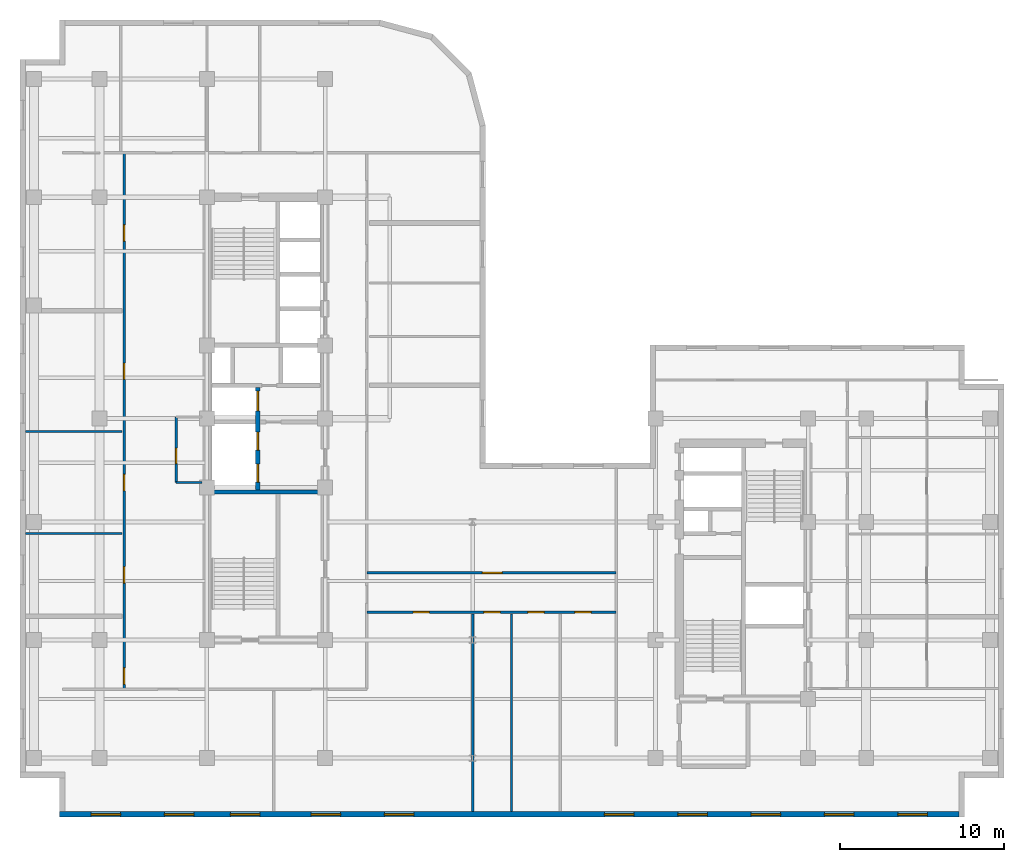
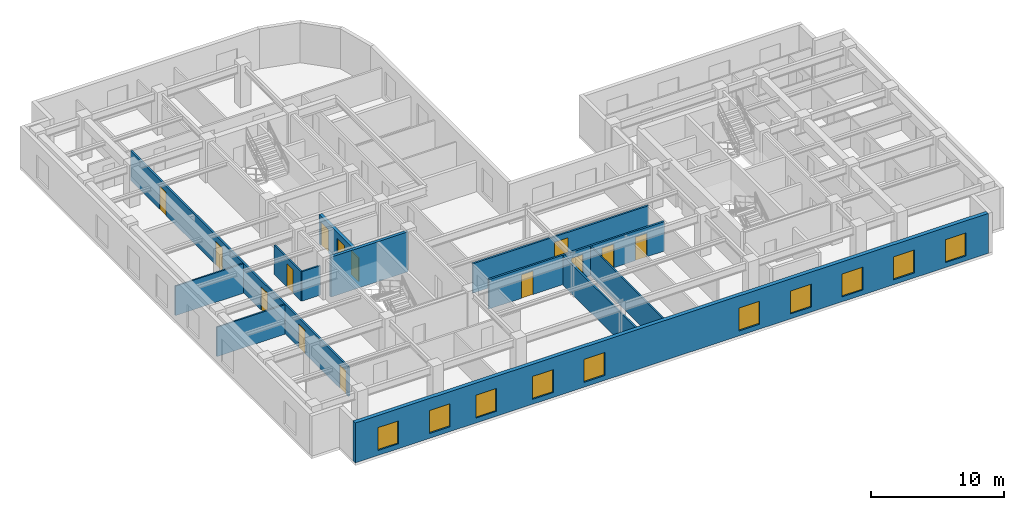
# One storey, part 4 of 11: 14 doors, 12 walls, 10 windows, 24 openings.
"""IFC4 building model written with IfcOpenShell, lengths in metres."""

from ifc_helpers import new_model, entity, si_unit, converted_unit, direction, frame, origin_with_axes, origin_2d_with_axis, place, context, subcontext, project, spatial, polyline, rectangle, outline, extrude, material, layer, layer_set, type_object, element, fill, save


model = new_model("IFC4")

# Units and contexts
model_context = context("Model", 3, precision=1e-05, world=origin_with_axes(), true_north=direction((0.0, 1.0)))
body_context = subcontext(model_context, "Body", "Model", "MODEL_VIEW")
ifc_project = project(units=[si_unit("LENGTHUNIT", "METRE"), si_unit("AREAUNIT", "SQUARE_METRE"), si_unit("VOLUMEUNIT", "CUBIC_METRE"), converted_unit("PLANEANGLEUNIT", "DEGREE", entity("IfcPlaneAngleMeasure", 0.017453292519943295), si_unit("PLANEANGLEUNIT", "RADIAN"), dimensions=[0, 0, 0, 0, 0, 0, 0]), si_unit("MASSUNIT", "GRAM", prefix="KILO"), si_unit("THERMODYNAMICTEMPERATUREUNIT", "KELVIN")], contexts=[model_context])

# Site, building, storey
site_placement = place(None, origin_with_axes())
site = spatial("IfcSite", under=ifc_project, at=site_placement, CompositionType="ELEMENT")
building_placement = place(site_placement, origin_with_axes())
building = spatial("IfcBuilding", under=site, at=building_placement, Name="Varnlund Millrace Tower", CompositionType="ELEMENT")
storey_placement = place(building_placement, frame((0.0, 0.0, 196.5), z_axis=(0.0, 0.0, 1.0), x_axis=(1.0, 0.0, 0.0)))
storey = spatial("IfcBuildingStorey", under=building, at=storey_placement, Name="L48", CompositionType="ELEMENT", Elevation=196.5)

# Wall, openings, windows
ifc_material_1 = material(Name="Precast concrete C50/60", Category="concrete")
ifc_layer_1 = layer(ifc_material_1, 0.34, Name="Precast concrete C50/60")
ifc_layer_set_1 = layer_set([ifc_layer_1], Name="Precast concrete C50/60")
wall_type_1 = type_object("IfcWallType", Name="Type-ExtWall-Precast-Upper-340", PredefinedType="SOLIDWALL", material=ifc_layer_set_1)
wall_1_placement = place(storey_placement, frame((57.26, 0.17, 0.0), z_axis=(0.0, 0.0, 1.0), x_axis=(-1.0, 0.0, 0.0)))
wall_1 = element("IfcWall", 1, at=wall_1_placement, inside=storey, type_object=wall_type_1, Name="Type-ExtWall-Precast-Upper-340", PredefinedType="SOLIDWALL", context=body_context, shape_type="SweptSolid", body=[
    extrude(outline(polyline([(0.0, -0.17), (54.86, -0.17), (54.86, 0.17), (0.0, 0.17), (0.0, -0.17)])), origin_with_axes(), (0.0, 0.0, 1.0), 3.66),
])
opening_1_placement = place(wall_1_placement, frame((2.836, 0.0, 0.45), z_axis=(0.0, 0.0, 1.0), x_axis=(1.0, 0.0, 0.0)))
opening_1 = element("IfcOpeningElement", 2, at=opening_1_placement, cuts=wall_1, Name="Opening L48:WN-07", PredefinedType="OPENING", context=body_context, shape_type="SweptSolid", body=[
    extrude(rectangle(XDim=1.8, YDim=0.36, at=origin_2d_with_axis()), origin_with_axes(), (0.0, 0.0, 1.0), 2.1),
])
opening_2_placement = place(wall_1_placement, frame((7.307, 0.0, 0.45), z_axis=(0.0, 0.0, 1.0), x_axis=(1.0, 0.0, 0.0)))
opening_2 = element("IfcOpeningElement", 3, at=opening_2_placement, cuts=wall_1, Name="Opening L48:WN-08", PredefinedType="OPENING", context=body_context, shape_type="SweptSolid", body=[
    extrude(rectangle(XDim=1.8, YDim=0.36, at=origin_2d_with_axis()), origin_with_axes(), (0.0, 0.0, 1.0), 2.1),
])
opening_3_placement = place(wall_1_placement, frame((11.779, 0.0, 0.45), z_axis=(0.0, 0.0, 1.0), x_axis=(1.0, 0.0, 0.0)))
opening_3 = element("IfcOpeningElement", 4, at=opening_3_placement, cuts=wall_1, Name="Opening L48:WN-09", PredefinedType="OPENING", context=body_context, shape_type="SweptSolid", body=[
    extrude(rectangle(XDim=1.8, YDim=0.36, at=origin_2d_with_axis()), origin_with_axes(), (0.0, 0.0, 1.0), 2.1),
])
opening_4_placement = place(wall_1_placement, frame((16.251, 0.0, 0.45), z_axis=(0.0, 0.0, 1.0), x_axis=(1.0, 0.0, 0.0)))
opening_4 = element("IfcOpeningElement", 5, at=opening_4_placement, cuts=wall_1, Name="Opening L48:WN-10", PredefinedType="OPENING", context=body_context, shape_type="SweptSolid", body=[
    extrude(rectangle(XDim=1.8, YDim=0.36, at=origin_2d_with_axis()), origin_with_axes(), (0.0, 0.0, 1.0), 2.1),
])
opening_5_placement = place(wall_1_placement, frame((20.723, 0.0, 0.45), z_axis=(0.0, 0.0, 1.0), x_axis=(1.0, 0.0, 0.0)))
opening_5 = element("IfcOpeningElement", 6, at=opening_5_placement, cuts=wall_1, Name="Opening L48:WN-11", PredefinedType="OPENING", context=body_context, shape_type="SweptSolid", body=[
    extrude(rectangle(XDim=1.8, YDim=0.36, at=origin_2d_with_axis()), origin_with_axes(), (0.0, 0.0, 1.0), 2.1),
])
opening_6_placement = place(wall_1_placement, frame((34.138, 0.0, 0.45), z_axis=(0.0, 0.0, 1.0), x_axis=(1.0, 0.0, 0.0)))
opening_6 = element("IfcOpeningElement", 7, at=opening_6_placement, cuts=wall_1, Name="Opening L48:WN-12", PredefinedType="OPENING", context=body_context, shape_type="SweptSolid", body=[
    extrude(rectangle(XDim=1.8, YDim=0.36, at=origin_2d_with_axis()), origin_with_axes(), (0.0, 0.0, 1.0), 2.1),
])
opening_7_placement = place(wall_1_placement, frame((38.609, 0.0, 0.45), z_axis=(0.0, 0.0, 1.0), x_axis=(1.0, 0.0, 0.0)))
opening_7 = element("IfcOpeningElement", 8, at=opening_7_placement, cuts=wall_1, Name="Opening L48:WN-13", PredefinedType="OPENING", context=body_context, shape_type="SweptSolid", body=[
    extrude(rectangle(XDim=1.8, YDim=0.36, at=origin_2d_with_axis()), origin_with_axes(), (0.0, 0.0, 1.0), 2.1),
])
opening_8_placement = place(wall_1_placement, frame((43.531, 0.0, 0.45), z_axis=(0.0, 0.0, 1.0), x_axis=(1.0, 0.0, 0.0)))
opening_8 = element("IfcOpeningElement", 9, at=opening_8_placement, cuts=wall_1, Name="Opening L48:WN-14", PredefinedType="OPENING", context=body_context, shape_type="SweptSolid", body=[
    extrude(rectangle(XDim=1.8, YDim=0.36, at=origin_2d_with_axis()), origin_with_axes(), (0.0, 0.0, 1.0), 2.1),
])
opening_9_placement = place(wall_1_placement, frame((47.553, 0.0, 0.45), z_axis=(0.0, 0.0, 1.0), x_axis=(1.0, 0.0, 0.0)))
opening_9 = element("IfcOpeningElement", 10, at=opening_9_placement, cuts=wall_1, Name="Opening L48:WN-15", PredefinedType="OPENING", context=body_context, shape_type="SweptSolid", body=[
    extrude(rectangle(XDim=1.8, YDim=0.36, at=origin_2d_with_axis()), origin_with_axes(), (0.0, 0.0, 1.0), 2.1),
])
opening_10_placement = place(wall_1_placement, frame((52.024, 0.0, 0.45), z_axis=(0.0, 0.0, 1.0), x_axis=(1.0, 0.0, 0.0)))
opening_10 = element("IfcOpeningElement", 11, at=opening_10_placement, cuts=wall_1, Name="Opening L48:WN-16", PredefinedType="OPENING", context=body_context, shape_type="SweptSolid", body=[
    extrude(rectangle(XDim=1.8, YDim=0.36, at=origin_2d_with_axis()), origin_with_axes(), (0.0, 0.0, 1.0), 2.1),
])
ifc_material_2 = material(Name="Argon low-e triple glazing in thermally broken bronze frame", Category="glass")
window_type = type_object("IfcWindowType", Name="Type-Window-Punched-1800X2100", PartitioningType="SINGLE_PANEL", PredefinedType="WINDOW", material=ifc_material_2)
window_1_placement = place(wall_1_placement, frame((2.836, 0.0, 0.45), z_axis=(0.0, 0.0, 1.0), x_axis=(1.0, 0.0, 0.0)))
window_1 = element("IfcWindow", 12, at=window_1_placement, inside=storey, type_object=window_type, Name="Type-Window-Punched-1800X2100", OverallHeight=2.1, OverallWidth=1.8, PredefinedType="WINDOW", context=body_context, shape_type="SweptSolid", body=[
    extrude(rectangle(XDim=1.8, YDim=0.09, at=origin_2d_with_axis()), origin_with_axes(), (0.0, 0.0, 1.0), 2.1),
])
fill(opening_1, window_1)
window_2_placement = place(wall_1_placement, frame((7.307, 0.0, 0.45), z_axis=(0.0, 0.0, 1.0), x_axis=(1.0, 0.0, 0.0)))
window_2 = element("IfcWindow", 13, at=window_2_placement, inside=storey, type_object=window_type, Name="Type-Window-Punched-1800X2100", OverallHeight=2.1, OverallWidth=1.8, PredefinedType="WINDOW", context=body_context, shape_type="SweptSolid", body=[
    extrude(rectangle(XDim=1.8, YDim=0.09, at=origin_2d_with_axis()), origin_with_axes(), (0.0, 0.0, 1.0), 2.1),
])
fill(opening_2, window_2)
window_3_placement = place(wall_1_placement, frame((11.779, 0.0, 0.45), z_axis=(0.0, 0.0, 1.0), x_axis=(1.0, 0.0, 0.0)))
window_3 = element("IfcWindow", 14, at=window_3_placement, inside=storey, type_object=window_type, Name="Type-Window-Punched-1800X2100", OverallHeight=2.1, OverallWidth=1.8, PredefinedType="WINDOW", context=body_context, shape_type="SweptSolid", body=[
    extrude(rectangle(XDim=1.8, YDim=0.09, at=origin_2d_with_axis()), origin_with_axes(), (0.0, 0.0, 1.0), 2.1),
])
fill(opening_3, window_3)
window_4_placement = place(wall_1_placement, frame((16.251, 0.0, 0.45), z_axis=(0.0, 0.0, 1.0), x_axis=(1.0, 0.0, 0.0)))
window_4 = element("IfcWindow", 15, at=window_4_placement, inside=storey, type_object=window_type, Name="Type-Window-Punched-1800X2100", OverallHeight=2.1, OverallWidth=1.8, PredefinedType="WINDOW", context=body_context, shape_type="SweptSolid", body=[
    extrude(rectangle(XDim=1.8, YDim=0.09, at=origin_2d_with_axis()), origin_with_axes(), (0.0, 0.0, 1.0), 2.1),
])
fill(opening_4, window_4)
window_5_placement = place(wall_1_placement, frame((20.723, 0.0, 0.45), z_axis=(0.0, 0.0, 1.0), x_axis=(1.0, 0.0, 0.0)))
window_5 = element("IfcWindow", 16, at=window_5_placement, inside=storey, type_object=window_type, Name="Type-Window-Punched-1800X2100", OverallHeight=2.1, OverallWidth=1.8, PredefinedType="WINDOW", context=body_context, shape_type="SweptSolid", body=[
    extrude(rectangle(XDim=1.8, YDim=0.09, at=origin_2d_with_axis()), origin_with_axes(), (0.0, 0.0, 1.0), 2.1),
])
fill(opening_5, window_5)
window_6_placement = place(wall_1_placement, frame((34.138, 0.0, 0.45), z_axis=(0.0, 0.0, 1.0), x_axis=(1.0, 0.0, 0.0)))
window_6 = element("IfcWindow", 17, at=window_6_placement, inside=storey, type_object=window_type, Name="Type-Window-Punched-1800X2100", OverallHeight=2.1, OverallWidth=1.8, PredefinedType="WINDOW", context=body_context, shape_type="SweptSolid", body=[
    extrude(rectangle(XDim=1.8, YDim=0.09, at=origin_2d_with_axis()), origin_with_axes(), (0.0, 0.0, 1.0), 2.1),
])
fill(opening_6, window_6)
window_7_placement = place(wall_1_placement, frame((38.609, 0.0, 0.45), z_axis=(0.0, 0.0, 1.0), x_axis=(1.0, 0.0, 0.0)))
window_7 = element("IfcWindow", 18, at=window_7_placement, inside=storey, type_object=window_type, Name="Type-Window-Punched-1800X2100", OverallHeight=2.1, OverallWidth=1.8, PredefinedType="WINDOW", context=body_context, shape_type="SweptSolid", body=[
    extrude(rectangle(XDim=1.8, YDim=0.09, at=origin_2d_with_axis()), origin_with_axes(), (0.0, 0.0, 1.0), 2.1),
])
fill(opening_7, window_7)
window_8_placement = place(wall_1_placement, frame((43.531, 0.0, 0.45), z_axis=(0.0, 0.0, 1.0), x_axis=(1.0, 0.0, 0.0)))
window_8 = element("IfcWindow", 19, at=window_8_placement, inside=storey, type_object=window_type, Name="Type-Window-Punched-1800X2100", OverallHeight=2.1, OverallWidth=1.8, PredefinedType="WINDOW", context=body_context, shape_type="SweptSolid", body=[
    extrude(rectangle(XDim=1.8, YDim=0.09, at=origin_2d_with_axis()), origin_with_axes(), (0.0, 0.0, 1.0), 2.1),
])
fill(opening_8, window_8)
window_9_placement = place(wall_1_placement, frame((47.553, 0.0, 0.45), z_axis=(0.0, 0.0, 1.0), x_axis=(1.0, 0.0, 0.0)))
window_9 = element("IfcWindow", 20, at=window_9_placement, inside=storey, type_object=window_type, Name="Type-Window-Punched-1800X2100", OverallHeight=2.1, OverallWidth=1.8, PredefinedType="WINDOW", context=body_context, shape_type="SweptSolid", body=[
    extrude(rectangle(XDim=1.8, YDim=0.09, at=origin_2d_with_axis()), origin_with_axes(), (0.0, 0.0, 1.0), 2.1),
])
fill(opening_9, window_9)
window_10_placement = place(wall_1_placement, frame((52.024, 0.0, 0.45), z_axis=(0.0, 0.0, 1.0), x_axis=(1.0, 0.0, 0.0)))
window_10 = element("IfcWindow", 21, at=window_10_placement, inside=storey, type_object=window_type, Name="Type-Window-Punched-1800X2100", OverallHeight=2.1, OverallWidth=1.8, PredefinedType="WINDOW", context=body_context, shape_type="SweptSolid", body=[
    extrude(rectangle(XDim=1.8, YDim=0.09, at=origin_2d_with_axis()), origin_with_axes(), (0.0, 0.0, 1.0), 2.1),
])
fill(opening_10, window_10)

# Wall, openings, doors
ifc_material_3 = material(Name="Fire-rated gypsum board on cold-formed steel framing", Category="steel")
ifc_layer_2 = layer(ifc_material_3, 0.16, Name="Fire-rated gypsum board on cold-formed steel framing")
ifc_layer_set_2 = layer_set([ifc_layer_2], Name="Fire-rated gypsum board on cold-formed steel framing")
wall_type_2 = type_object("IfcWallType", Name="Type-Partition-Corridor-160", PredefinedType="PARTITIONING", material=ifc_layer_set_2)
wall_2_placement = place(storey_placement, frame((6.35, 7.8, 0.0), z_axis=(0.0, 0.0, 1.0), x_axis=(0.0, 1.0, 0.0)))
wall_2 = element("IfcWall", 22, at=wall_2_placement, inside=storey, type_object=wall_type_2, Name="Type-Partition-Corridor-160", PredefinedType="PARTITIONING", context=body_context, shape_type="SweptSolid", body=[
    extrude(outline(polyline([(0.0, -0.08), (32.7, -0.08), (32.7, 0.08), (0.0, 0.08), (0.0, -0.08)])), origin_with_axes(), (0.0, 0.0, 1.0), 2.7),
])
opening_11_placement = place(wall_2_placement, frame((0.8, 0.0, 0.0), z_axis=(0.0, 0.0, 1.0), x_axis=(1.0, 0.0, 0.0)))
opening_11 = element("IfcOpeningElement", 23, at=opening_11_placement, cuts=wall_2, Name="Opening L48:DR-W-01", PredefinedType="OPENING", context=body_context, shape_type="SweptSolid", body=[
    extrude(rectangle(XDim=1.0, YDim=0.18, at=origin_2d_with_axis()), origin_with_axes(), (0.0, 0.0, 1.0), 2.15),
])
opening_12_placement = place(wall_2_placement, frame((6.971, 0.0, 0.0), z_axis=(0.0, 0.0, 1.0), x_axis=(1.0, 0.0, 0.0)))
opening_12 = element("IfcOpeningElement", 24, at=opening_12_placement, cuts=wall_2, Name="Opening L48:DR-W-02", PredefinedType="OPENING", context=body_context, shape_type="SweptSolid", body=[
    extrude(rectangle(XDim=1.0, YDim=0.18, at=origin_2d_with_axis()), origin_with_axes(), (0.0, 0.0, 1.0), 2.15),
])
opening_13_placement = place(wall_2_placement, frame((12.598, 0.0, 0.0), z_axis=(0.0, 0.0, 1.0), x_axis=(1.0, 0.0, 0.0)))
opening_13 = element("IfcOpeningElement", 25, at=opening_13_placement, cuts=wall_2, Name="Opening L48:DR-W-03", PredefinedType="OPENING", context=body_context, shape_type="SweptSolid", body=[
    extrude(rectangle(XDim=1.0, YDim=0.18, at=origin_2d_with_axis()), origin_with_axes(), (0.0, 0.0, 1.0), 2.15),
])
opening_14_placement = place(wall_2_placement, frame((19.3855, 0.0, 0.0), z_axis=(0.0, 0.0, 1.0), x_axis=(1.0, 0.0, 0.0)))
opening_14 = element("IfcOpeningElement", 26, at=opening_14_placement, cuts=wall_2, Name="Opening L48:DR-W-04", PredefinedType="OPENING", context=body_context, shape_type="SweptSolid", body=[
    extrude(rectangle(XDim=1.0, YDim=0.18, at=origin_2d_with_axis()), origin_with_axes(), (0.0, 0.0, 1.0), 2.15),
])
opening_15_placement = place(wall_2_placement, frame((27.82, 0.0, 0.0), z_axis=(0.0, 0.0, 1.0), x_axis=(1.0, 0.0, 0.0)))
opening_15 = element("IfcOpeningElement", 27, at=opening_15_placement, cuts=wall_2, Name="Opening L48:DR-W-05", PredefinedType="OPENING", context=body_context, shape_type="SweptSolid", body=[
    extrude(rectangle(XDim=1.0, YDim=0.18, at=origin_2d_with_axis()), origin_with_axes(), (0.0, 0.0, 1.0), 2.15),
])
ifc_material_4 = material(Name="Solid-core white oak and bronze frame door")
door_type_1 = type_object("IfcDoorType", Name="Type-IntDoor-Office-1000X2150", OperationType="NOTDEFINED", PredefinedType="DOOR", material=ifc_material_4)
door_1_placement = place(wall_2_placement, frame((0.8, 0.0, 0.0), z_axis=(0.0, 0.0, 1.0), x_axis=(1.0, 0.0, 0.0)))
door_1 = element("IfcDoor", 28, at=door_1_placement, inside=storey, type_object=door_type_1, Name="Type-IntDoor-Office-1000X2150", OperationType="SINGLE_SWING_LEFT", OverallHeight=2.15, OverallWidth=1.0, PredefinedType="DOOR", context=body_context, shape_type="SweptSolid", body=[
    extrude(rectangle(XDim=1.0, YDim=0.09, at=origin_2d_with_axis()), origin_with_axes(), (0.0, 0.0, 1.0), 2.15),
])
fill(opening_11, door_1)
door_2_placement = place(wall_2_placement, frame((6.971, 0.0, 0.0), z_axis=(0.0, 0.0, 1.0), x_axis=(1.0, 0.0, 0.0)))
door_2 = element("IfcDoor", 29, at=door_2_placement, inside=storey, type_object=door_type_1, Name="Type-IntDoor-Office-1000X2150", OperationType="SINGLE_SWING_RIGHT", OverallHeight=2.15, OverallWidth=1.0, PredefinedType="DOOR", context=body_context, shape_type="SweptSolid", body=[
    extrude(rectangle(XDim=1.0, YDim=0.09, at=origin_2d_with_axis()), origin_with_axes(), (0.0, 0.0, 1.0), 2.15),
])
fill(opening_12, door_2)
door_3_placement = place(wall_2_placement, frame((12.598, 0.0, 0.0), z_axis=(0.0, 0.0, 1.0), x_axis=(1.0, 0.0, 0.0)))
door_3 = element("IfcDoor", 30, at=door_3_placement, inside=storey, type_object=door_type_1, Name="Type-IntDoor-Office-1000X2150", OperationType="SINGLE_SWING_LEFT", OverallHeight=2.15, OverallWidth=1.0, PredefinedType="DOOR", context=body_context, shape_type="SweptSolid", body=[
    extrude(rectangle(XDim=1.0, YDim=0.09, at=origin_2d_with_axis()), origin_with_axes(), (0.0, 0.0, 1.0), 2.15),
])
fill(opening_13, door_3)
door_4_placement = place(wall_2_placement, frame((19.3855, 0.0, 0.0), z_axis=(0.0, 0.0, 1.0), x_axis=(1.0, 0.0, 0.0)))
door_4 = element("IfcDoor", 31, at=door_4_placement, inside=storey, type_object=door_type_1, Name="Type-IntDoor-Office-1000X2150", OperationType="SINGLE_SWING_RIGHT", OverallHeight=2.15, OverallWidth=1.0, PredefinedType="DOOR", context=body_context, shape_type="SweptSolid", body=[
    extrude(rectangle(XDim=1.0, YDim=0.09, at=origin_2d_with_axis()), origin_with_axes(), (0.0, 0.0, 1.0), 2.15),
])
fill(opening_14, door_4)
door_5_placement = place(wall_2_placement, frame((27.82, 0.0, 0.0), z_axis=(0.0, 0.0, 1.0), x_axis=(1.0, 0.0, 0.0)))
door_5 = element("IfcDoor", 32, at=door_5_placement, inside=storey, type_object=door_type_1, Name="Type-IntDoor-Office-1000X2150", OperationType="SINGLE_SWING_LEFT", OverallHeight=2.15, OverallWidth=1.0, PredefinedType="DOOR", context=body_context, shape_type="SweptSolid", body=[
    extrude(rectangle(XDim=1.0, YDim=0.09, at=origin_2d_with_axis()), origin_with_axes(), (0.0, 0.0, 1.0), 2.15),
])
fill(opening_15, door_5)

wall_3_placement = place(storey_placement, frame((21.15, 12.5, 0.0), z_axis=(0.0, 0.0, 1.0), x_axis=(1.0, 0.0, 0.0)))
wall_3 = element("IfcWall", 33, at=wall_3_placement, inside=storey, type_object=wall_type_2, Name="Type-Partition-Corridor-160", PredefinedType="PARTITIONING", context=body_context, shape_type="SweptSolid", body=[
    extrude(outline(polyline([(0.0, -0.08), (15.2, -0.08), (15.2, 0.08), (0.0, 0.08), (0.0, -0.08)])), origin_with_axes(), (0.0, 0.0, 1.0), 2.7),
])
opening_16_placement = place(wall_3_placement, frame((3.315, 0.0, 0.0), z_axis=(0.0, 0.0, 1.0), x_axis=(1.0, 0.0, 0.0)))
opening_16 = element("IfcOpeningElement", 34, at=opening_16_placement, cuts=wall_3, Name="Opening L48:DR-KNS-01", PredefinedType="OPENING", context=body_context, shape_type="SweptSolid", body=[
    extrude(rectangle(XDim=1.0, YDim=0.18, at=origin_2d_with_axis()), origin_with_axes(), (0.0, 0.0, 1.0), 2.15),
])
opening_17_placement = place(wall_3_placement, frame((7.639, 0.0, 0.0), z_axis=(0.0, 0.0, 1.0), x_axis=(1.0, 0.0, 0.0)))
opening_17 = element("IfcOpeningElement", 35, at=opening_17_placement, cuts=wall_3, Name="Opening L48:DR-KNS-02", PredefinedType="OPENING", context=body_context, shape_type="SweptSolid", body=[
    extrude(rectangle(XDim=1.0, YDim=0.18, at=origin_2d_with_axis()), origin_with_axes(), (0.0, 0.0, 1.0), 2.15),
])
opening_18_placement = place(wall_3_placement, frame((10.313, 0.0, 0.0), z_axis=(0.0, 0.0, 1.0), x_axis=(1.0, 0.0, 0.0)))
opening_18 = element("IfcOpeningElement", 36, at=opening_18_placement, cuts=wall_3, Name="Opening L48:DR-KNS-03", PredefinedType="OPENING", context=body_context, shape_type="SweptSolid", body=[
    extrude(rectangle(XDim=1.0, YDim=0.18, at=origin_2d_with_axis()), origin_with_axes(), (0.0, 0.0, 1.0), 2.15),
])
opening_19_placement = place(wall_3_placement, frame((13.179, 0.0, 0.0), z_axis=(0.0, 0.0, 1.0), x_axis=(1.0, 0.0, 0.0)))
opening_19 = element("IfcOpeningElement", 37, at=opening_19_placement, cuts=wall_3, Name="Opening L48:DR-KNS-04", PredefinedType="OPENING", context=body_context, shape_type="SweptSolid", body=[
    extrude(rectangle(XDim=1.0, YDim=0.18, at=origin_2d_with_axis()), origin_with_axes(), (0.0, 0.0, 1.0), 2.15),
])
door_6_placement = place(wall_3_placement, frame((3.315, 0.0, 0.0), z_axis=(0.0, 0.0, 1.0), x_axis=(1.0, 0.0, 0.0)))
door_6 = element("IfcDoor", 38, at=door_6_placement, inside=storey, type_object=door_type_1, Name="Type-IntDoor-Office-1000X2150", OperationType="SINGLE_SWING_LEFT", OverallHeight=2.15, OverallWidth=1.0, PredefinedType="DOOR", context=body_context, shape_type="SweptSolid", body=[
    extrude(rectangle(XDim=1.0, YDim=0.09, at=origin_2d_with_axis()), origin_with_axes(), (0.0, 0.0, 1.0), 2.15),
])
fill(opening_16, door_6)
door_7_placement = place(wall_3_placement, frame((7.639, 0.0, 0.0), z_axis=(0.0, 0.0, 1.0), x_axis=(1.0, 0.0, 0.0)))
door_7 = element("IfcDoor", 39, at=door_7_placement, inside=storey, type_object=door_type_1, Name="Type-IntDoor-Office-1000X2150", OperationType="SINGLE_SWING_RIGHT", OverallHeight=2.15, OverallWidth=1.0, PredefinedType="DOOR", context=body_context, shape_type="SweptSolid", body=[
    extrude(rectangle(XDim=1.0, YDim=0.09, at=origin_2d_with_axis()), origin_with_axes(), (0.0, 0.0, 1.0), 2.15),
])
fill(opening_17, door_7)
door_8_placement = place(wall_3_placement, frame((10.313, 0.0, 0.0), z_axis=(0.0, 0.0, 1.0), x_axis=(1.0, 0.0, 0.0)))
door_8 = element("IfcDoor", 40, at=door_8_placement, inside=storey, type_object=door_type_1, Name="Type-IntDoor-Office-1000X2150", OperationType="SINGLE_SWING_LEFT", OverallHeight=2.15, OverallWidth=1.0, PredefinedType="DOOR", context=body_context, shape_type="SweptSolid", body=[
    extrude(rectangle(XDim=1.0, YDim=0.09, at=origin_2d_with_axis()), origin_with_axes(), (0.0, 0.0, 1.0), 2.15),
])
fill(opening_18, door_8)
door_9_placement = place(wall_3_placement, frame((13.179, 0.0, 0.0), z_axis=(0.0, 0.0, 1.0), x_axis=(1.0, 0.0, 0.0)))
door_9 = element("IfcDoor", 41, at=door_9_placement, inside=storey, type_object=door_type_1, Name="Type-IntDoor-Office-1000X2150", OperationType="SINGLE_SWING_RIGHT", OverallHeight=2.15, OverallWidth=1.0, PredefinedType="DOOR", context=body_context, shape_type="SweptSolid", body=[
    extrude(rectangle(XDim=1.0, YDim=0.09, at=origin_2d_with_axis()), origin_with_axes(), (0.0, 0.0, 1.0), 2.15),
])
fill(opening_19, door_9)

# Wall, opening, door
wall_4_placement = place(storey_placement, frame((21.15, 14.9, 0.0), z_axis=(0.0, 0.0, 1.0), x_axis=(1.0, 0.0, 0.0)))
wall_4 = element("IfcWall", 42, at=wall_4_placement, inside=storey, type_object=wall_type_2, Name="Type-Partition-Corridor-160", PredefinedType="PARTITIONING", context=body_context, shape_type="SweptSolid", body=[
    extrude(outline(polyline([(0.0, -0.08), (15.2, -0.08), (15.2, 0.08), (0.0, 0.08), (0.0, -0.08)])), origin_with_axes(), (0.0, 0.0, 1.0), 2.7),
])
opening_20_placement = place(wall_4_placement, frame((7.65, 0.0, 0.0), z_axis=(0.0, 0.0, 1.0), x_axis=(1.0, 0.0, 0.0)))
opening_20 = element("IfcOpeningElement", 43, at=opening_20_placement, cuts=wall_4, Name="Opening L48:DR-KN-01", PredefinedType="OPENING", context=body_context, shape_type="SweptSolid", body=[
    extrude(rectangle(XDim=1.2, YDim=0.18, at=origin_2d_with_axis()), origin_with_axes(), (0.0, 0.0, 1.0), 2.2),
])
ifc_material_5 = material(Name="Wide executive white oak acoustic door")
door_type_2 = type_object("IfcDoorType", Name="Type-IntDoor-Exec-1200X2200", OperationType="NOTDEFINED", PredefinedType="DOOR", material=ifc_material_5)
door_10_placement = place(wall_4_placement, frame((7.65, 0.0, 0.0), z_axis=(0.0, 0.0, 1.0), x_axis=(1.0, 0.0, 0.0)))
door_10 = element("IfcDoor", 44, at=door_10_placement, inside=storey, type_object=door_type_2, Name="Type-IntDoor-Exec-1200X2200", OperationType="SINGLE_SWING_LEFT", OverallHeight=2.2, OverallWidth=1.2, PredefinedType="DOOR", context=body_context, shape_type="SweptSolid", body=[
    extrude(rectangle(XDim=1.2, YDim=0.09, at=origin_2d_with_axis()), origin_with_axes(), (0.0, 0.0, 1.0), 2.2),
])
fill(opening_20, door_10)

# Walls
ifc_material_6 = material(Name="Acoustic STC-50 gypsum board partition", Category="gypsum")
ifc_layer_3 = layer(ifc_material_6, 0.15, Name="Acoustic STC-50 gypsum board partition")
ifc_layer_set_3 = layer_set([ifc_layer_3], Name="Acoustic STC-50 gypsum board partition")
wall_type_3 = type_object("IfcWallType", Name="Type-Partition-Demising-150", PredefinedType="PARTITIONING", material=ifc_layer_set_3)
wall_5_placement = place(storey_placement, frame((27.6, 0.335, 0.0), z_axis=(0.0, 0.0, 1.0), x_axis=(0.0, 1.0, 0.0)))
element("IfcWall", 45, at=wall_5_placement, inside=storey, type_object=wall_type_3, Name="Type-Partition-Demising-150", PredefinedType="PARTITIONING", context=body_context, shape_type="SweptSolid", body=[
    extrude(outline(polyline([(0.0, -0.075), (12.045, -0.075), (12.045, 0.075), (0.0, 0.075), (0.0, -0.075)])), origin_with_axes(), (0.0, 0.0, 1.0), 2.7),
])
ifc_material_7 = material(Name="Gypsum board tenant partition", Category="gypsum")
ifc_layer_4 = layer(ifc_material_7, 0.125, Name="Gypsum board tenant partition")
ifc_layer_set_4 = layer_set([ifc_layer_4], Name="Gypsum board tenant partition")
wall_type_4 = type_object("IfcWallType", Name="Type-Partition-Tenant-125", PredefinedType="PARTITIONING", material=ifc_layer_set_4)
for number, where, z_axis, x_axis, name in (
    (46, (0.335, 17.295, 0.0), (0.0, 0.0, 1.0), (1.0, 0.0, 0.0), "Type-Partition-Tenant-125"),
    (47, (0.335, 23.501, 0.0), (0.0, 0.0, 1.0), (1.0, 0.0, 0.0), "Type-Partition-Tenant-125"),
):
    element("IfcWall", number, at=place(storey_placement, frame(where, z_axis=z_axis, x_axis=x_axis)), inside=storey, type_object=wall_type_4, Name=name, PredefinedType="PARTITIONING", context=body_context, shape_type="SweptSolid", body=[
        extrude(outline(polyline([(0.0, -0.0625), (5.895, -0.0625), (5.895, 0.0625), (0.0, 0.0625), (0.0, -0.0625)])), origin_with_axes(), (0.0, 0.0, 1.0), 2.7),
    ])
wall_6_placement = place(storey_placement, frame((29.978, 0.335, 0.0), z_axis=(0.0, 0.0, 1.0), x_axis=(0.0, 1.0, 0.0)))
element("IfcWall", 48, at=wall_6_placement, inside=storey, type_object=wall_type_4, Name="Type-Partition-Tenant-125", PredefinedType="PARTITIONING", context=body_context, shape_type="SweptSolid", body=[
    extrude(outline(polyline([(0.0, -0.0625), (12.045, -0.0625), (12.045, 0.0625), (0.0, 0.0625), (0.0, -0.0625)])), origin_with_axes(), (0.0, 0.0, 1.0), 2.7),
])

# Wall, opening, door
ifc_material_8 = material(Name="Moisture-resistant gypsum restroom partition", Category="gypsum")
ifc_layer_5 = layer(ifc_material_8, 0.14, Name="Moisture-resistant gypsum restroom partition")
ifc_layer_set_5 = layer_set([ifc_layer_5], Name="Moisture-resistant gypsum restroom partition")
wall_type_5 = type_object("IfcWallType", Name="Type-Partition-Wet-140", PredefinedType="PARTITIONING", material=ifc_layer_set_5)
wall_7_placement = place(storey_placement, frame((9.52, 20.4, 0.0), z_axis=(0.0, 0.0, 1.0), x_axis=(0.0, 1.0, 0.0)))
wall_7 = element("IfcWall", 49, at=wall_7_placement, inside=storey, type_object=wall_type_5, Name="Type-Partition-Wet-140", PredefinedType="PARTITIONING", context=body_context, shape_type="SweptSolid", body=[
    extrude(outline(polyline([(0.0, -0.07), (4.0, -0.07), (4.0, 0.07), (0.0, 0.07), (0.0, -0.07)])), origin_with_axes(), (0.0, 0.0, 1.0), 2.7),
])
opening_21_placement = place(wall_7_placement, frame((1.625, 0.0, 0.0), z_axis=(0.0, 0.0, 1.0), x_axis=(1.0, 0.0, 0.0)))
opening_21 = element("IfcOpeningElement", 50, at=opening_21_placement, cuts=wall_7, Name="Opening L48:DR-CA-WCW", PredefinedType="OPENING", context=body_context, shape_type="SweptSolid", body=[
    extrude(rectangle(XDim=0.95, YDim=0.16, at=origin_2d_with_axis()), origin_with_axes(), (0.0, 0.0, 1.0), 2.15),
])
ifc_material_9 = material(Name="Solid-core acoustic office door")
door_type_3 = type_object("IfcDoorType", Name="Type-IntDoor-Tenant-950X2150", OperationType="NOTDEFINED", PredefinedType="DOOR", material=ifc_material_9)
door_11_placement = place(wall_7_placement, frame((1.625, 0.0, 0.0), z_axis=(0.0, 0.0, 1.0), x_axis=(1.0, 0.0, 0.0)))
door_11 = element("IfcDoor", 51, at=door_11_placement, inside=storey, type_object=door_type_3, Name="Type-IntDoor-Tenant-950X2150", OperationType="SINGLE_SWING_LEFT", OverallHeight=2.15, OverallWidth=0.95, PredefinedType="DOOR", context=body_context, shape_type="SweptSolid", body=[
    extrude(rectangle(XDim=0.95, YDim=0.084, at=origin_2d_with_axis()), origin_with_axes(), (0.0, 0.0, 1.0), 2.15),
])
fill(opening_21, door_11)

# Wall
wall_8_placement = place(storey_placement, frame((9.52, 20.4, 0.0), z_axis=(0.0, 0.0, 1.0), x_axis=(1.0, 0.0, 0.0)))
element("IfcWall", 52, at=wall_8_placement, inside=storey, type_object=wall_type_5, Name="Type-Partition-Wet-140", PredefinedType="PARTITIONING", context=body_context, shape_type="SweptSolid", body=[
    extrude(outline(polyline([(0.0, -0.07), (1.58, -0.07), (1.58, 0.07), (0.0, 0.07), (0.0, -0.07)])), origin_with_axes(), (0.0, 0.0, 1.0), 2.7),
])

# Wall, openings, doors
ifc_material_10 = material(Name="Concrete C60/75", Category="concrete")
ifc_layer_6 = layer(ifc_material_10, 0.25, Name="Concrete C60/75")
ifc_layer_set_6 = layer_set([ifc_layer_6], Name="Concrete C60/75")
wall_type_6 = type_object("IfcWallType", Name="Type-ShaftWall-Fire-250", PredefinedType="SOLIDWALL", material=ifc_layer_set_6)
wall_9_placement = place(storey_placement, frame((14.5, 19.95, 0.0), z_axis=(0.0, 0.0, 1.0), x_axis=(0.0, 1.0, 0.0)))
wall_9 = element("IfcWall", 53, at=wall_9_placement, inside=storey, type_object=wall_type_6, Name="Type-ShaftWall-Fire-250", PredefinedType="SOLIDWALL", context=body_context, shape_type="SweptSolid", body=[
    extrude(outline(polyline([(0.0, -0.125), (6.25, -0.125), (6.25, 0.125), (0.0, 0.125), (0.0, -0.125)])), origin_with_axes(), (0.0, 0.0, 1.0), 2.7),
])
opening_22_placement = place(wall_9_placement, frame((1.025, 0.0, 0.0), z_axis=(0.0, 0.0, 1.0), x_axis=(1.0, 0.0, 0.0)))
opening_22 = element("IfcOpeningElement", 54, at=opening_22_placement, cuts=wall_9, Name="Opening L48:LD-FSAE1", PredefinedType="OPENING", context=body_context, shape_type="SweptSolid", body=[
    extrude(rectangle(XDim=1.1, YDim=0.27, at=origin_2d_with_axis()), origin_with_axes(), (0.0, 0.0, 1.0), 2.15),
])
opening_23_placement = place(wall_9_placement, frame((2.975, 0.0, 0.0), z_axis=(0.0, 0.0, 1.0), x_axis=(1.0, 0.0, 0.0)))
opening_23 = element("IfcOpeningElement", 55, at=opening_23_placement, cuts=wall_9, Name="Opening L48:LD-FSAE2", PredefinedType="OPENING", context=body_context, shape_type="SweptSolid", body=[
    extrude(rectangle(XDim=1.1, YDim=0.27, at=origin_2d_with_axis()), origin_with_axes(), (0.0, 0.0, 1.0), 2.15),
])
opening_24_placement = place(wall_9_placement, frame((5.425, 0.0, 0.0), z_axis=(0.0, 0.0, 1.0), x_axis=(1.0, 0.0, 0.0)))
opening_24 = element("IfcOpeningElement", 56, at=opening_24_placement, cuts=wall_9, Name="Opening L48:LD-SRV1", PredefinedType="OPENING", context=body_context, shape_type="SweptSolid", body=[
    extrude(rectangle(XDim=1.2, YDim=0.27, at=origin_2d_with_axis()), origin_with_axes(), (0.0, 0.0, 1.0), 2.15),
])
ifc_material_11 = material(Name="Stainless and architectural bronze sliding landing door")
door_type_4 = type_object("IfcDoorType", Name="Type-LiftLandingDoor-1100X2150", OperationType="NOTDEFINED", PredefinedType="DOOR", material=ifc_material_11)
door_12_placement = place(wall_9_placement, frame((1.025, 0.0, 0.0), z_axis=(0.0, 0.0, 1.0), x_axis=(1.0, 0.0, 0.0)))
door_12 = element("IfcDoor", 57, at=door_12_placement, inside=storey, type_object=door_type_4, Name="Type-LiftLandingDoor-1100X2150", OperationType="SLIDING_TO_LEFT", OverallHeight=2.15, OverallWidth=1.1, PredefinedType="DOOR", context=body_context, shape_type="SweptSolid", body=[
    extrude(rectangle(XDim=1.1, YDim=0.09, at=origin_2d_with_axis()), origin_with_axes(), (0.0, 0.0, 1.0), 2.15),
])
fill(opening_22, door_12)
door_13_placement = place(wall_9_placement, frame((2.975, 0.0, 0.0), z_axis=(0.0, 0.0, 1.0), x_axis=(1.0, 0.0, 0.0)))
door_13 = element("IfcDoor", 58, at=door_13_placement, inside=storey, type_object=door_type_4, Name="Type-LiftLandingDoor-1100X2150", OperationType="SLIDING_TO_RIGHT", OverallHeight=2.15, OverallWidth=1.1, PredefinedType="DOOR", context=body_context, shape_type="SweptSolid", body=[
    extrude(rectangle(XDim=1.1, YDim=0.09, at=origin_2d_with_axis()), origin_with_axes(), (0.0, 0.0, 1.0), 2.15),
])
fill(opening_23, door_13)
ifc_material_12 = material(Name="Heavy-duty freight sliding landing door")
door_type_5 = type_object("IfcDoorType", Name="Type-LiftLandingDoor-Service-1200X2150", OperationType="NOTDEFINED", PredefinedType="DOOR", material=ifc_material_12)
door_14_placement = place(wall_9_placement, frame((5.425, 0.0, 0.0), z_axis=(0.0, 0.0, 1.0), x_axis=(1.0, 0.0, 0.0)))
door_14 = element("IfcDoor", 59, at=door_14_placement, inside=storey, type_object=door_type_5, Name="Type-LiftLandingDoor-Service-1200X2150", OperationType="DOUBLE_DOOR_SLIDING", OverallHeight=2.15, OverallWidth=1.2, PredefinedType="DOOR", context=body_context, shape_type="SweptSolid", body=[
    extrude(rectangle(XDim=1.2, YDim=0.09, at=origin_2d_with_axis()), origin_with_axes(), (0.0, 0.0, 1.0), 2.15),
])
fill(opening_24, door_14)

# Wall
wall_type_7 = type_object("IfcWallType", Name="Type-StairWall-Shear-250", PredefinedType="SHEAR", material=ifc_layer_set_6)
wall_10_placement = place(storey_placement, frame((11.65, 19.825, 0.0), z_axis=(0.0, 0.0, 1.0), x_axis=(1.0, 0.0, 0.0)))
element("IfcWall", 60, at=wall_10_placement, inside=storey, type_object=wall_type_7, Name="Type-StairWall-Shear-250", PredefinedType="SHEAR", context=body_context, shape_type="SweptSolid", body=[
    extrude(outline(polyline([(0.0, -0.125), (6.7, -0.125), (6.7, 0.125), (0.0, 0.125), (0.0, -0.125)])), origin_with_axes(), (0.0, 0.0, 1.0), 3.66),
])

save(model, "model.ifc")
